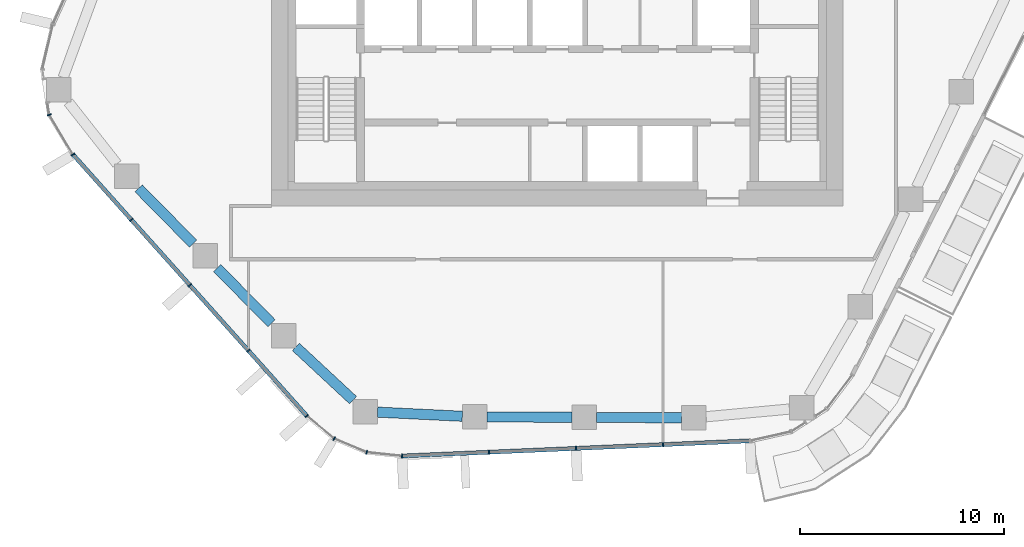
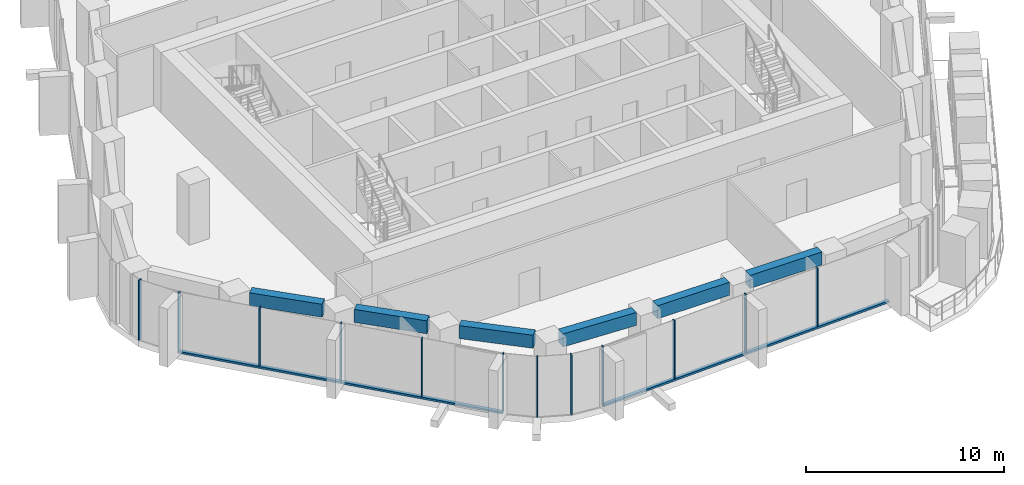
# One storey, part 2 of 17: 14 members, 6 beams, 4 elements without a shape of their own.
"""IFC4 building model written with IfcOpenShell, lengths in metres."""

from ifc_helpers import new_model, si_unit, direction, frame, origin, origin_2d, place, context, subcontext, project, spatial, rectangle, extrude, material, layer, layer_set, material_profile, profile_set, type_object, element, aggregate, save


model = new_model("IFC4")

# Units and contexts
model_context = context("Model", 3, precision=1e-05, world=origin(), true_north=direction((0.0, 1.0)))
body_context = subcontext(model_context, "Body", "Model", "MODEL_VIEW")
ifc_project = project(units=[si_unit("LENGTHUNIT", "METRE"), si_unit("AREAUNIT", "SQUARE_METRE"), si_unit("VOLUMEUNIT", "CUBIC_METRE"), si_unit("PLANEANGLEUNIT", "RADIAN"), si_unit("MASSUNIT", "GRAM", prefix="KILO")], contexts=[model_context])

# Site, building, storey
site_placement = place(None, origin())
site = spatial("IfcSite", under=ifc_project, at=site_placement, CompositionType="ELEMENT")
building_placement = place(site_placement, origin())
building = spatial("IfcBuilding", under=site, at=building_placement, Name="Dongbaek Canopy Tower", CompositionType="ELEMENT")
storey_placement = place(building_placement, frame((0.0, 0.0, 179.60009765625)))
storey = spatial("IfcBuildingStorey", under=building, at=storey_placement, Name="L39", CompositionType="ELEMENT", Elevation=179.60009765625)

# Curtain wall, members
ifc_material_1 = material(Name="Aluminium 6063-T6 pale anodised", Category="aluminium")
ifc_layer = layer(ifc_material_1, 0.199951171875)
ifc_layer_set = layer_set([ifc_layer], Name="CW-1 unitised tower curtain wall")
curtain_wall_type = type_object("IfcCurtainWallType", Name="CW-1 unitised tower curtain wall", PredefinedType="NOTDEFINED", material=ifc_layer_set)
curtain_wall_1_placement = place(storey_placement, origin())
curtain_wall_1 = element("IfcCurtainWall", 1, at=curtain_wall_1_placement, inside=storey, type_object=curtain_wall_type, Name="CW-1 curtain wall K3.1b", PredefinedType="NOTDEFINED")
ifc_material_2 = material(Name="Aluminium 6063-T6 pale anodised", Category="aluminium")
ifc_material_profile_1 = material_profile(ifc_material_2, rectangle(XDim=0.199951171875, YDim=0.06005859375, at=origin_2d()), Name="CW-1 mullion 60 x 200")
ifc_profile_set_1 = profile_set([ifc_material_profile_1], Name="Aluminium 6063-T6 pale anodised")
member_type_1 = type_object("IfcMemberType", Name="CW-1 mullion 60 x 200", PredefinedType="MULLION", material=ifc_profile_set_1)
member_1_placement = place(storey_placement, frame((-24.892822265625, -6.522216796875, 0.0), z_axis=(0.0, 0.0, 1.0), x_axis=(-0.94105791196, -0.33824548236, 0.0)))
member_1 = element("IfcMember", 2, at=member_1_placement, type_object=member_type_1, Name="CW-1 mullion K3.1b.2", PredefinedType="MULLION", context=body_context, shape_type="SweptSolid", body=[
    extrude(rectangle(XDim=0.199951171875, YDim=0.06005859375, at=origin_2d()), origin(), (0.0, 0.0, 1.0), 3.699951171875),
])
member_2_placement = place(storey_placement, frame((-23.732666015625, -8.46875, 0.0), z_axis=(0.0, 0.0, 1.0), x_axis=(-0.858991947801, -0.511989095209, 0.0)))
member_2 = element("IfcMember", 3, at=member_2_placement, type_object=member_type_1, Name="CW-1 mullion K3.1b.3", PredefinedType="MULLION", context=body_context, shape_type="SweptSolid", body=[
    extrude(rectangle(XDim=0.199951171875, YDim=0.06005859375, at=origin_2d()), origin(), (0.0, 0.0, 1.0), 3.699951171875),
])
aggregate(curtain_wall_1, [member_1, member_2])

curtain_wall_2_placement = place(storey_placement, origin())
curtain_wall_2 = element("IfcCurtainWall", 4, at=curtain_wall_2_placement, inside=storey, type_object=curtain_wall_type, Name="CW-1 curtain wall F3.1", PredefinedType="NOTDEFINED")
member_3_placement = place(storey_placement, frame((-20.871337890625, -11.66650390625, 0.119873046875), z_axis=(0.0, 0.0, 1.0), x_axis=(-0.745210570308, -0.666829217942, 0.0)))
member_3 = element("IfcMember", 5, at=member_3_placement, type_object=member_type_1, Name="CW-1 mullion F3.1.2", PredefinedType="MULLION", context=body_context, shape_type="SweptSolid", body=[
    extrude(rectangle(XDim=0.199951171875, YDim=0.06005859375, at=origin_2d()), origin(), (0.0, 0.0, 1.0), 3.580078125),
])
member_4_placement = place(storey_placement, frame((-18.00341796875, -14.871337890625, 0.119873046875), z_axis=(0.0, 0.0, 1.0), x_axis=(-0.745210570308, -0.666829217942, 0.0)))
member_4 = element("IfcMember", 6, at=member_4_placement, type_object=member_type_1, Name="CW-1 mullion F3.1.3", PredefinedType="MULLION", context=body_context, shape_type="SweptSolid", body=[
    extrude(rectangle(XDim=0.199951171875, YDim=0.06005859375, at=origin_2d()), origin(), (0.0, 0.0, 1.0), 3.580078125),
])
member_5_placement = place(storey_placement, frame((-15.135498046875, -18.076416015625, 0.119873046875), z_axis=(0.0, 0.0, 1.0), x_axis=(-0.745210570308, -0.666829217942, 0.0)))
member_5 = element("IfcMember", 7, at=member_5_placement, type_object=member_type_1, Name="CW-1 mullion F3.1.4", PredefinedType="MULLION", context=body_context, shape_type="SweptSolid", body=[
    extrude(rectangle(XDim=0.199951171875, YDim=0.06005859375, at=origin_2d()), origin(), (0.0, 0.0, 1.0), 3.580078125),
])
member_6_placement = place(storey_placement, frame((-12.2724609375, -21.27587890625, 0.119873046875), z_axis=(0.0, 0.0, 1.0), x_axis=(-0.745210570308, -0.666829217942, 0.0)))
member_6 = element("IfcMember", 8, at=member_6_placement, type_object=member_type_1, Name="CW-1 mullion F3.1.5", PredefinedType="MULLION", context=body_context, shape_type="SweptSolid", body=[
    extrude(rectangle(XDim=0.199951171875, YDim=0.06005859375, at=origin_2d()), origin(), (0.0, 0.0, 1.0), 3.580078125),
])

curtain_wall_3_placement = place(storey_placement, origin())
curtain_wall_3 = element("IfcCurtainWall", 9, at=curtain_wall_3_placement, inside=storey, type_object=curtain_wall_type, Name="CW-1 curtain wall K4.1", PredefinedType="NOTDEFINED")
member_7_placement = place(storey_placement, frame((-10.93408203125, -22.388427734375, 0.0), z_axis=(0.0, 0.0, 1.0), x_axis=(-0.519286368933, -0.854600296654, 0.0)))
member_7 = element("IfcMember", 10, at=member_7_placement, type_object=member_type_1, Name="CW-1 mullion K4.1.2", PredefinedType="MULLION", context=body_context, shape_type="SweptSolid", body=[
    extrude(rectangle(XDim=0.199951171875, YDim=0.06005859375, at=origin_2d()), origin(), (0.0, 0.0, 1.0), 3.699951171875),
])
member_8_placement = place(storey_placement, frame((-9.3369140625, -23.06103515625, 0.0), z_axis=(0.0, 0.0, 1.0), x_axis=(-0.248547897881, -0.968619606687, 0.0)))
member_8 = element("IfcMember", 11, at=member_8_placement, type_object=member_type_1, Name="CW-1 mullion K4.1.3", PredefinedType="MULLION", context=body_context, shape_type="SweptSolid", body=[
    extrude(rectangle(XDim=0.199951171875, YDim=0.06005859375, at=origin_2d()), origin(), (0.0, 0.0, 1.0), 3.699951171875),
])
member_9_placement = place(storey_placement, frame((-7.60595703125, -23.2412109375, 0.0), z_axis=(0.0, 0.0, 1.0), x_axis=(-0.103577283883, -0.994621408509, 0.0)))
member_9 = element("IfcMember", 12, at=member_9_placement, type_object=member_type_1, Name="CW-1 mullion K4.1.4", PredefinedType="MULLION", context=body_context, shape_type="SweptSolid", body=[
    extrude(rectangle(XDim=0.199951171875, YDim=0.06005859375, at=origin_2d()), origin(), (0.0, 0.0, 1.0), 3.699951171875),
])
aggregate(curtain_wall_3, [member_7, member_8, member_9])

curtain_wall_4_placement = place(storey_placement, origin())
curtain_wall_4 = element("IfcCurtainWall", 13, at=curtain_wall_4_placement, inside=storey, type_object=curtain_wall_type, Name="CW-1 curtain wall F4.1", PredefinedType="NOTDEFINED")
member_10_placement = place(storey_placement, frame((-3.347900390625, -23.05517578125, 0.119873046875), z_axis=(0.0, 0.0, 1.0), x_axis=(0.043640187851, -0.999047313196, 0.0)))
member_10 = element("IfcMember", 14, at=member_10_placement, type_object=member_type_1, Name="CW-1 mullion F4.1.2", PredefinedType="MULLION", context=body_context, shape_type="SweptSolid", body=[
    extrude(rectangle(XDim=0.199951171875, YDim=0.06005859375, at=origin_2d()), origin(), (0.0, 0.0, 1.0), 3.580078125),
])
member_11_placement = place(storey_placement, frame((0.91748046875, -22.868896484375, 0.119873046875), z_axis=(0.0, 0.0, 1.0), x_axis=(0.043640187851, -0.999047313196, 0.0)))
member_11 = element("IfcMember", 15, at=member_11_placement, type_object=member_type_1, Name="CW-1 mullion F4.1.3", PredefinedType="MULLION", context=body_context, shape_type="SweptSolid", body=[
    extrude(rectangle(XDim=0.199951171875, YDim=0.06005859375, at=origin_2d()), origin(), (0.0, 0.0, 1.0), 3.580078125),
])
member_12_placement = place(storey_placement, frame((5.18310546875, -22.6826171875, 0.119873046875), z_axis=(0.0, 0.0, 1.0), x_axis=(0.043640187851, -0.999047313196, 0.0)))
member_12 = element("IfcMember", 16, at=member_12_placement, type_object=member_type_1, Name="CW-1 mullion F4.1.4", PredefinedType="MULLION", context=body_context, shape_type="SweptSolid", body=[
    extrude(rectangle(XDim=0.199951171875, YDim=0.06005859375, at=origin_2d()), origin(), (0.0, 0.0, 1.0), 3.580078125),
])

# Member
ifc_material_3 = material(Name="Aluminium 6063-T6 pale anodised", Category="aluminium")
ifc_material_profile_2 = material_profile(ifc_material_3, rectangle(XDim=0.199951171875, YDim=0.1201171875, at=origin_2d()), Name="CW-1 transom 120 x 200")
ifc_profile_set_2 = profile_set([ifc_material_profile_2], Name="Aluminium 6063-T6 pale anodised")
member_type_2 = type_object("IfcMemberType", Name="CW-1 transom 120 x 200", PredefinedType="USERDEFINED", material=ifc_profile_set_2)
member_13_placement = place(storey_placement, frame((-23.732666015625, -8.46875, 0.059814453125), z_axis=(0.666833476439, -0.745206759699, 0.0), x_axis=(0.745206759699, 0.666833476439, 0.0)))
member_13 = element("IfcMember", 17, at=member_13_placement, type_object=member_type_2, Name="CW-1 transom F3.1.1", ObjectType="TRANSOM", PredefinedType="USERDEFINED", context=body_context, shape_type="SweptSolid", body=[
    extrude(rectangle(XDim=0.199951171875, YDim=0.1201171875, at=origin_2d()), origin(), (0.0, 0.0, 1.0), 17.18603515625),
])

aggregate(curtain_wall_2, [member_3, member_4, member_5, member_6, member_13])

member_14_placement = place(storey_placement, frame((-7.60595703125, -23.2412109375, 0.059814453125), z_axis=(0.999047200773, 0.04364276146, 0.0), x_axis=(-0.04364276146, 0.999047200773, 0.0)))
member_14 = element("IfcMember", 18, at=member_14_placement, type_object=member_type_2, Name="CW-1 transom F4.1.1", ObjectType="TRANSOM", PredefinedType="USERDEFINED", context=body_context, shape_type="SweptSolid", body=[
    extrude(rectangle(XDim=0.199951171875, YDim=0.1201171875, at=origin_2d()), origin(), (0.0, 0.0, 1.0), 17.06201171875),
])

aggregate(curtain_wall_4, [member_10, member_11, member_12, member_14])

# Beams
ifc_material_4 = material(Name="Concrete C70", Category="concrete")
ifc_material_profile_3 = material_profile(ifc_material_4, rectangle(XDim=0.5, YDim=0.800048828125, at=origin_2d()), Name="RC EDGE BEAM 500x800 C70")
ifc_profile_set_3 = profile_set([ifc_material_profile_3], Name="Concrete C70")
beam_type = type_object("IfcBeamType", Name="RC EDGE BEAM 500x800 C70", PredefinedType="BEAM", material=ifc_profile_set_3)
beam_1_placement = place(storey_placement, frame((6.097900390625, -21.369384765625, 3.2998046875), z_axis=(-0.999989872655, 0.004500509685, 0.0), x_axis=(-0.004500509685, -0.999989872655, 0.0)))
element("IfcBeam", 19, at=beam_1_placement, inside=storey, type_object=beam_type, Name="EDGEBEAM:L39:01", PredefinedType="BEAM", context=body_context, shape_type="SweptSolid", body=[
    extrude(rectangle(XDim=0.5, YDim=0.800048828125, at=origin_2d()), origin(), (0.0, 0.0, 1.0), 4.177001953125),
])
beam_2_placement = place(storey_placement, frame((0.720947265625, -21.34521484375, 3.2998046875), z_axis=(-0.999990129376, 0.004443101423, 0.0), x_axis=(-0.004443101423, -0.999990129376, 0.0)))
element("IfcBeam", 20, at=beam_2_placement, inside=storey, type_object=beam_type, Name="EDGEBEAM:L39:02", PredefinedType="BEAM", context=body_context, shape_type="SweptSolid", body=[
    extrude(rectangle(XDim=0.5, YDim=0.800048828125, at=origin_2d()), origin(), (0.0, 0.0, 1.0), 4.176025390625),
])
beam_3_placement = place(storey_placement, frame((-4.655029296875, -21.29443359375, 3.2998046875), z_axis=(-0.998797460552, 0.04902685789, 0.0), x_axis=(-0.04902685789, -0.998797460552, 0.0)))
element("IfcBeam", 21, at=beam_3_placement, inside=storey, type_object=beam_type, Name="EDGEBEAM:L39:03", PredefinedType="BEAM", context=body_context, shape_type="SweptSolid", body=[
    extrude(rectangle(XDim=0.5, YDim=0.800048828125, at=origin_2d()), origin(), (0.0, 0.0, 1.0), 4.157958984375),
])
beam_4_placement = place(storey_placement, frame((-10.008056640625, -20.5029296875, 3.2998046875), z_axis=(-0.732259249265, 0.681025984722, 0.0), x_axis=(-0.681025984722, -0.732259249265, 0.0)))
element("IfcBeam", 22, at=beam_4_placement, inside=storey, type_object=beam_type, Name="EDGEBEAM:L39:04", PredefinedType="BEAM", context=body_context, shape_type="SweptSolid", body=[
    extrude(rectangle(XDim=0.5, YDim=0.800048828125, at=origin_2d()), origin(), (0.0, 0.0, 1.0), 3.826416015625),
])
beam_5_placement = place(storey_placement, frame((-14.0009765625, -16.739013671875, 3.2998046875), z_axis=(-0.701688575516, 0.71248378437, 0.0), x_axis=(-0.71248378437, -0.701688575516, 0.0)))
element("IfcBeam", 23, at=beam_5_placement, inside=storey, type_object=beam_type, Name="EDGEBEAM:L39:05", PredefinedType="BEAM", context=body_context, shape_type="SweptSolid", body=[
    extrude(rectangle(XDim=0.5, YDim=0.800048828125, at=origin_2d()), origin(), (0.0, 0.0, 1.0), 3.79931640625),
])
beam_6_placement = place(storey_placement, frame((-17.848876953125, -12.83203125, 3.2998046875), z_axis=(-0.701721192392, 0.712451660218, 0.0), x_axis=(-0.712451660218, -0.701721192392, 0.0)))
element("IfcBeam", 24, at=beam_6_placement, inside=storey, type_object=beam_type, Name="EDGEBEAM:L39:06", PredefinedType="BEAM", context=body_context, shape_type="SweptSolid", body=[
    extrude(rectangle(XDim=0.5, YDim=0.800048828125, at=origin_2d()), origin(), (0.0, 0.0, 1.0), 3.799560546875),
])

save(model, "model.ifc")
